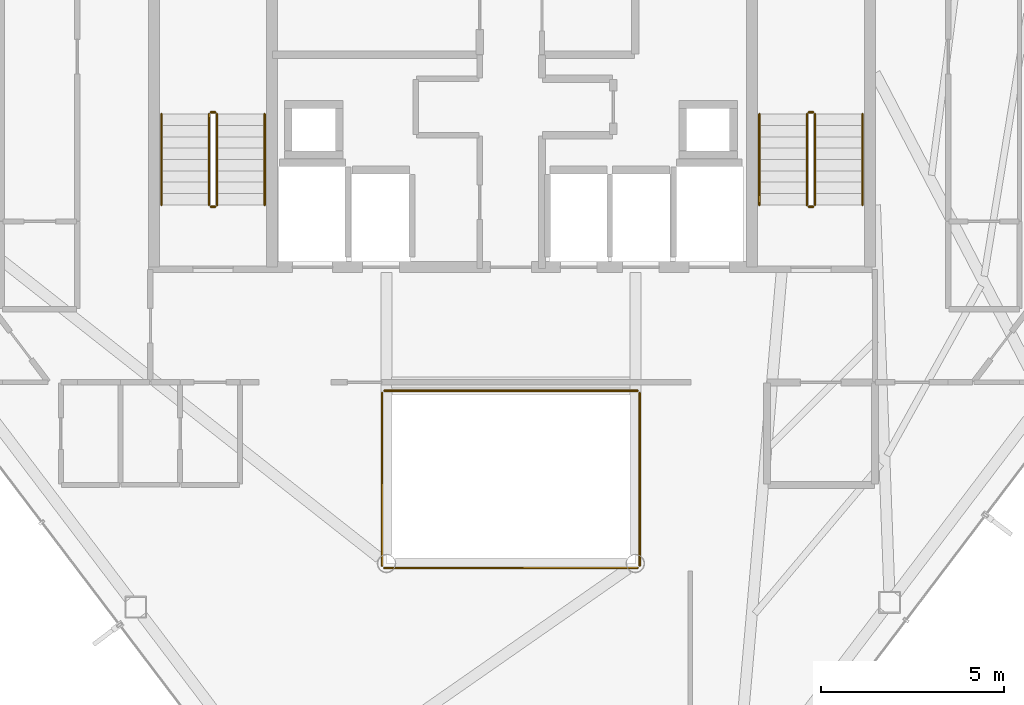
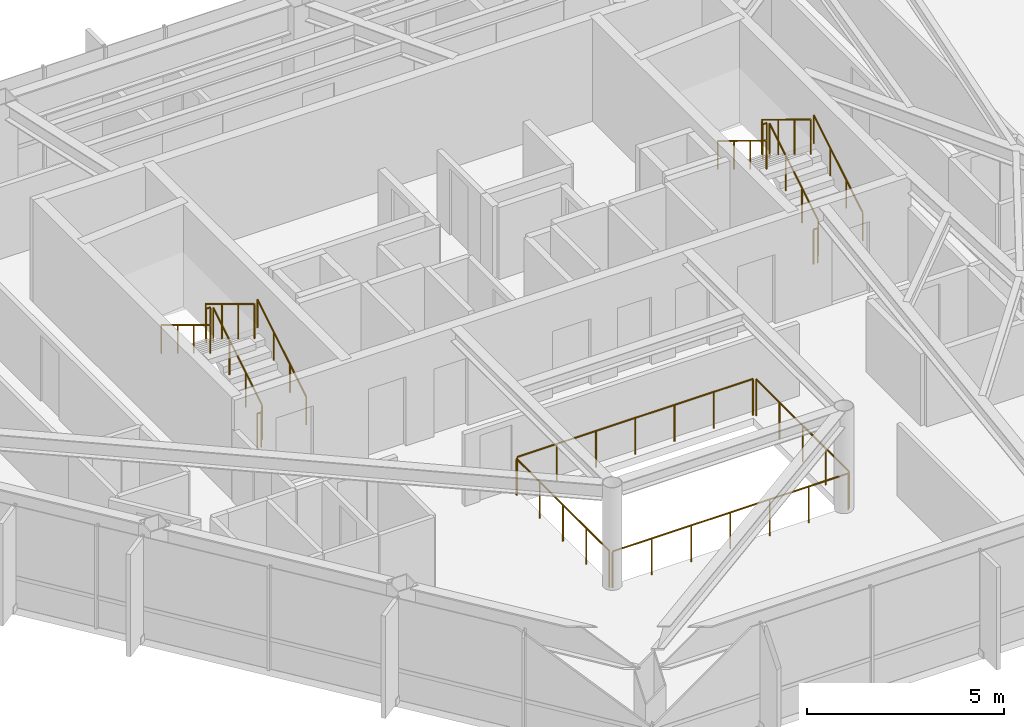
# One storey, part 25 of 25: 16 railings.
"""IFC4 building model written with IfcOpenShell, lengths in metres."""

from ifc_helpers import new_model, si_unit, direction, frame, origin, origin_2d, place, context, subcontext, project, spatial, circle, extrude, material, type_object, element, save


model = new_model("IFC4")

# Units and contexts
model_context = context("Model", 3, precision=1e-05, world=origin(), true_north=direction((0.0, 1.0)))
body_context = subcontext(model_context, "Body", "Model", "MODEL_VIEW")
ifc_project = project(units=[si_unit("LENGTHUNIT", "METRE"), si_unit("AREAUNIT", "SQUARE_METRE"), si_unit("VOLUMEUNIT", "CUBIC_METRE"), si_unit("PLANEANGLEUNIT", "RADIAN"), si_unit("MASSUNIT", "GRAM", prefix="KILO")], contexts=[model_context])

# Site, building, storey
site_placement = place(None, origin())
site = spatial("IfcSite", under=ifc_project, at=site_placement, CompositionType="ELEMENT")
building_placement = place(site_placement, origin())
building = spatial("IfcBuilding", under=site, at=building_placement, Name="Zarrinselat Tower", CompositionType="ELEMENT")
storey_placement = place(building_placement, frame((0.0, 0.0, 208.760009765625)))
storey = spatial("IfcBuildingStorey", under=building, at=storey_placement, Name="L51", CompositionType="ELEMENT", Elevation=208.760009765625)

# Railings
ifc_material_1 = material(Name="Double Low-E Laminated Solar Glass", Category="glass")
railing_type_1 = type_object("IfcRailingType", Name="RLG-ATRIUM-BAL", PredefinedType="BALUSTRADE", material=ifc_material_1)
railing_1_placement = place(storey_placement, frame((34.93994140625, 25.080078125, 0.0)))
element("IfcRailing", 1, at=railing_1_placement, inside=storey, type_object=railing_type_1, Name="L51 Atrium Void Glass Balustrade S", PredefinedType="BALUSTRADE", context=body_context, shape_type="SweptSolid", body=[
    extrude(circle(Radius=0.02392578125, at=origin_2d()), frame((0.0, 0.0, 1.1259765625), z_axis=(1.0, 0.0, 0.0), x_axis=(0.0, 1.0, 0.0)), (0.0, 0.0, 1.0), 6.920166015625),
    extrude(circle(Radius=0.02099609375, at=origin_2d()), origin(), (0.0, 0.0, 1.0), 1.099853515625),
    extrude(circle(Radius=0.02099609375, at=origin_2d()), frame((1.1533203125, 0.0, 0.0)), (0.0, 0.0, 1.0), 1.099853515625),
    extrude(circle(Radius=0.02099609375, at=origin_2d()), frame((2.306640625, 0.0, 0.0)), (0.0, 0.0, 1.0), 1.099853515625),
    extrude(circle(Radius=0.02099609375, at=origin_2d()), frame((3.4599609375, 0.0, 0.0)), (0.0, 0.0, 1.0), 1.099853515625),
    extrude(circle(Radius=0.02099609375, at=origin_2d()), frame((4.613525390625, 0.0, 0.0)), (0.0, 0.0, 1.0), 1.099853515625),
    extrude(circle(Radius=0.02099609375, at=origin_2d()), frame((5.766845703125, 0.0, 0.0)), (0.0, 0.0, 1.0), 1.099853515625),
    extrude(circle(Radius=0.02099609375, at=origin_2d()), frame((6.920166015625, 0.0, 0.0)), (0.0, 0.0, 1.0), 1.099853515625),
])
railing_2_placement = place(storey_placement, frame((41.919921875, 25.139892578125, 0.0)))
element("IfcRailing", 2, at=railing_2_placement, inside=storey, type_object=railing_type_1, Name="L51 Atrium Void Glass Balustrade E", PredefinedType="BALUSTRADE", context=body_context, shape_type="SweptSolid", body=[
    extrude(circle(Radius=0.02392578125, at=origin_2d()), frame((0.0, 0.0, 1.1259765625), z_axis=(0.0, 1.0, 0.0), x_axis=(-1.0, 0.0, 0.0)), (0.0, 0.0, 1.0), 4.72021484375),
    extrude(circle(Radius=0.02099609375, at=origin_2d()), origin(), (0.0, 0.0, 1.0), 1.099853515625),
    extrude(circle(Radius=0.02099609375, at=origin_2d()), frame((0.0, 1.18017578125, 0.0)), (0.0, 0.0, 1.0), 1.099853515625),
    extrude(circle(Radius=0.02099609375, at=origin_2d()), frame((0.0, 2.360107421875, 0.0)), (0.0, 0.0, 1.0), 1.099853515625),
    extrude(circle(Radius=0.02099609375, at=origin_2d()), frame((0.0, 3.5400390625, 0.0)), (0.0, 0.0, 1.0), 1.099853515625),
    extrude(circle(Radius=0.02099609375, at=origin_2d()), frame((0.0, 4.72021484375, 0.0)), (0.0, 0.0, 1.0), 1.099853515625),
])
railing_3_placement = place(storey_placement, frame((41.860107421875, 29.919921875, 0.0)))
element("IfcRailing", 3, at=railing_3_placement, inside=storey, type_object=railing_type_1, Name="L51 Atrium Void Glass Balustrade N", PredefinedType="BALUSTRADE", context=body_context, shape_type="SweptSolid", body=[
    extrude(circle(Radius=0.02392578125, at=origin_2d()), frame((0.0, 0.0, 1.1259765625), z_axis=(-1.0, 0.0, 0.0), x_axis=(0.0, -1.0, 0.0)), (0.0, 0.0, 1.0), 6.920166015625),
    extrude(circle(Radius=0.02099609375, at=origin_2d()), origin(), (0.0, 0.0, 1.0), 1.099853515625),
    extrude(circle(Radius=0.02099609375, at=origin_2d()), frame((-1.1533203125, 0.0, 0.0)), (0.0, 0.0, 1.0), 1.099853515625),
    extrude(circle(Radius=0.02099609375, at=origin_2d()), frame((-2.306640625, 0.0, 0.0)), (0.0, 0.0, 1.0), 1.099853515625),
    extrude(circle(Radius=0.02099609375, at=origin_2d()), frame((-3.4599609375, 0.0, 0.0)), (0.0, 0.0, 1.0), 1.099853515625),
    extrude(circle(Radius=0.02099609375, at=origin_2d()), frame((-4.613525390625, 0.0, 0.0)), (0.0, 0.0, 1.0), 1.099853515625),
    extrude(circle(Radius=0.02099609375, at=origin_2d()), frame((-5.766845703125, 0.0, 0.0)), (0.0, 0.0, 1.0), 1.099853515625),
    extrude(circle(Radius=0.02099609375, at=origin_2d()), frame((-6.920166015625, 0.0, 0.0)), (0.0, 0.0, 1.0), 1.099853515625),
])
railing_4_placement = place(storey_placement, frame((34.8798828125, 29.860107421875, 0.0)))
element("IfcRailing", 4, at=railing_4_placement, inside=storey, type_object=railing_type_1, Name="L51 Atrium Void Glass Balustrade W", PredefinedType="BALUSTRADE", context=body_context, shape_type="SweptSolid", body=[
    extrude(circle(Radius=0.02392578125, at=origin_2d()), frame((0.0, 0.0, 1.1259765625), z_axis=(0.0, -1.0, 0.0), x_axis=(1.0, 0.0, 0.0)), (0.0, 0.0, 1.0), 4.72021484375),
    extrude(circle(Radius=0.02099609375, at=origin_2d()), origin(), (0.0, 0.0, 1.0), 1.099853515625),
    extrude(circle(Radius=0.02099609375, at=origin_2d()), frame((0.0, -1.18017578125, 0.0)), (0.0, 0.0, 1.0), 1.099853515625),
    extrude(circle(Radius=0.02099609375, at=origin_2d()), frame((0.0, -2.360107421875, 0.0)), (0.0, 0.0, 1.0), 1.099853515625),
    extrude(circle(Radius=0.02099609375, at=origin_2d()), frame((0.0, -3.5400390625, 0.0)), (0.0, 0.0, 1.0), 1.099853515625),
    extrude(circle(Radius=0.02099609375, at=origin_2d()), frame((0.0, -4.72021484375, 0.0)), (0.0, 0.0, 1.0), 1.099853515625),
])
ifc_material_2 = material(Name="Steel S355J2", Category="steel")
railing_type_2 = type_object("IfcRailingType", Name="RLG-STAIR-GUARD", PredefinedType="GUARDRAIL", material=ifc_material_2)
railing_5_placement = place(storey_placement, frame((30.3701171875, 35.0, 0.18896484375)))
element("IfcRailing", 5, at=railing_5_placement, inside=storey, type_object=railing_type_2, Name="L51 ST-1 stair guard 1", PredefinedType="GUARDRAIL", context=body_context, shape_type="SweptSolid", body=[
    extrude(circle(Radius=0.02392578125, at=origin_2d()), frame((0.0, 0.0, 1.076171875), z_axis=(0.0, 0.8539793189, 0.520306950647), x_axis=(-1.0, 0.0, 0.0)), (0.0, 0.0, 1.0), 2.904052734375),
    extrude(circle(Radius=0.02099609375, at=origin_2d()), origin(), (0.0, 0.0, 1.0), 1.050048828125),
    extrude(circle(Radius=0.02099609375, at=origin_2d()), frame((0.0, 0.82666015625, 0.503662109375)), (0.0, 0.0, 1.0), 1.050048828125),
    extrude(circle(Radius=0.02099609375, at=origin_2d()), frame((0.0, 1.6533203125, 1.00732421875)), (0.0, 0.0, 1.0), 1.050048828125),
    extrude(circle(Radius=0.02099609375, at=origin_2d()), frame((0.0, 2.47998046875, 1.510986328125)), (0.0, 0.0, 1.0), 1.050048828125),
])
railing_6_placement = place(storey_placement, frame((30.320068359375, 37.530029296875, 1.699951171875)))
element("IfcRailing", 6, at=railing_6_placement, inside=storey, type_object=railing_type_2, Name="L51 ST-1 stair guard 2", PredefinedType="GUARDRAIL", context=body_context, shape_type="SweptSolid", body=[
    extrude(circle(Radius=0.02392578125, at=origin_2d()), frame((0.0, 0.0, 1.076171875), z_axis=(-1.0, 0.0, 0.0), x_axis=(0.0, -1.0, 0.0)), (0.0, 0.0, 1.0), 0.1201171875),
    extrude(circle(Radius=0.02099609375, at=origin_2d()), origin(), (0.0, 0.0, 1.0), 1.050048828125),
    extrude(circle(Radius=0.02099609375, at=origin_2d()), frame((-0.1201171875, 0.0, 0.0)), (0.0, 0.0, 1.0), 1.050048828125),
])
railing_7_placement = place(storey_placement, frame((30.14990234375, 37.47998046875, 1.888916015625)))
element("IfcRailing", 7, at=railing_7_placement, inside=storey, type_object=railing_type_2, Name="L51 ST-1 stair guard 3", PredefinedType="GUARDRAIL", context=body_context, shape_type="SweptSolid", body=[
    extrude(circle(Radius=0.02392578125, at=origin_2d()), frame((0.0, 0.0, 1.076171875), z_axis=(0.0, -0.8539793189, 0.520306950647), x_axis=(1.0, 0.0, 0.0)), (0.0, 0.0, 1.0), 2.904052734375),
    extrude(circle(Radius=0.02099609375, at=origin_2d()), origin(), (0.0, 0.0, 1.0), 1.050048828125),
    extrude(circle(Radius=0.02099609375, at=origin_2d()), frame((0.0, -0.82666015625, 0.503662109375)), (0.0, 0.0, 1.0), 1.050048828125),
    extrude(circle(Radius=0.02099609375, at=origin_2d()), frame((0.0, -1.6533203125, 1.00732421875)), (0.0, 0.0, 1.0), 1.050048828125),
    extrude(circle(Radius=0.02099609375, at=origin_2d()), frame((0.0, -2.47998046875, 1.510986328125)), (0.0, 0.0, 1.0), 1.050048828125),
])
railing_8_placement = place(storey_placement, frame((30.320068359375, 34.949951171875, 0.0)))
element("IfcRailing", 8, at=railing_8_placement, inside=storey, type_object=railing_type_2, Name="L51 ST-1 stair guard 4", PredefinedType="GUARDRAIL", context=body_context, shape_type="SweptSolid", body=[
    extrude(circle(Radius=0.02392578125, at=origin_2d()), frame((0.0, 0.0, 1.076171875), z_axis=(-1.0, 0.0, 0.0), x_axis=(0.0, -1.0, 0.0)), (0.0, 0.0, 1.0), 0.1201171875),
    extrude(circle(Radius=0.02099609375, at=origin_2d()), origin(), (0.0, 0.0, 1.0), 1.050048828125),
    extrude(circle(Radius=0.02099609375, at=origin_2d()), frame((-0.1201171875, 0.0, 0.0)), (0.0, 0.0, 1.0), 1.050048828125),
])
railing_9_placement = place(storey_placement, frame((46.7099609375, 35.0, 0.18896484375)))
element("IfcRailing", 9, at=railing_9_placement, inside=storey, type_object=railing_type_2, Name="L51 ST-2 stair guard 1", PredefinedType="GUARDRAIL", context=body_context, shape_type="SweptSolid", body=[
    extrude(circle(Radius=0.02392578125, at=origin_2d()), frame((0.0, 0.0, 1.076171875), z_axis=(0.0, 0.8539793189, 0.520306950647), x_axis=(-1.0, 0.0, 0.0)), (0.0, 0.0, 1.0), 2.904052734375),
    extrude(circle(Radius=0.02099609375, at=origin_2d()), origin(), (0.0, 0.0, 1.0), 1.050048828125),
    extrude(circle(Radius=0.02099609375, at=origin_2d()), frame((0.0, 0.82666015625, 0.503662109375)), (0.0, 0.0, 1.0), 1.050048828125),
    extrude(circle(Radius=0.02099609375, at=origin_2d()), frame((0.0, 1.6533203125, 1.00732421875)), (0.0, 0.0, 1.0), 1.050048828125),
    extrude(circle(Radius=0.02099609375, at=origin_2d()), frame((0.0, 2.47998046875, 1.510986328125)), (0.0, 0.0, 1.0), 1.050048828125),
])
railing_10_placement = place(storey_placement, frame((46.659912109375, 37.530029296875, 1.699951171875)))
element("IfcRailing", 10, at=railing_10_placement, inside=storey, type_object=railing_type_2, Name="L51 ST-2 stair guard 2", PredefinedType="GUARDRAIL", context=body_context, shape_type="SweptSolid", body=[
    extrude(circle(Radius=0.02392578125, at=origin_2d()), frame((0.0, 0.0, 1.076171875), z_axis=(-1.0, 0.0, 0.0), x_axis=(0.0, -1.0, 0.0)), (0.0, 0.0, 1.0), 0.119873046875),
    extrude(circle(Radius=0.02099609375, at=origin_2d()), origin(), (0.0, 0.0, 1.0), 1.050048828125),
    extrude(circle(Radius=0.02099609375, at=origin_2d()), frame((-0.119873046875, 0.0, 0.0)), (0.0, 0.0, 1.0), 1.050048828125),
])
railing_11_placement = place(storey_placement, frame((46.489990234375, 37.47998046875, 1.888916015625)))
element("IfcRailing", 11, at=railing_11_placement, inside=storey, type_object=railing_type_2, Name="L51 ST-2 stair guard 3", PredefinedType="GUARDRAIL", context=body_context, shape_type="SweptSolid", body=[
    extrude(circle(Radius=0.02392578125, at=origin_2d()), frame((0.0, 0.0, 1.076171875), z_axis=(0.0, -0.8539793189, 0.520306950647), x_axis=(1.0, 0.0, 0.0)), (0.0, 0.0, 1.0), 2.904052734375),
    extrude(circle(Radius=0.02099609375, at=origin_2d()), origin(), (0.0, 0.0, 1.0), 1.050048828125),
    extrude(circle(Radius=0.02099609375, at=origin_2d()), frame((0.0, -0.82666015625, 0.503662109375)), (0.0, 0.0, 1.0), 1.050048828125),
    extrude(circle(Radius=0.02099609375, at=origin_2d()), frame((0.0, -1.6533203125, 1.00732421875)), (0.0, 0.0, 1.0), 1.050048828125),
    extrude(circle(Radius=0.02099609375, at=origin_2d()), frame((0.0, -2.47998046875, 1.510986328125)), (0.0, 0.0, 1.0), 1.050048828125),
])
railing_12_placement = place(storey_placement, frame((46.659912109375, 34.949951171875, 0.0)))
element("IfcRailing", 12, at=railing_12_placement, inside=storey, type_object=railing_type_2, Name="L51 ST-2 stair guard 4", PredefinedType="GUARDRAIL", context=body_context, shape_type="SweptSolid", body=[
    extrude(circle(Radius=0.02392578125, at=origin_2d()), frame((0.0, 0.0, 1.076171875), z_axis=(-1.0, 0.0, 0.0), x_axis=(0.0, -1.0, 0.0)), (0.0, 0.0, 1.0), 0.119873046875),
    extrude(circle(Radius=0.02099609375, at=origin_2d()), origin(), (0.0, 0.0, 1.0), 1.050048828125),
    extrude(circle(Radius=0.02099609375, at=origin_2d()), frame((-0.119873046875, 0.0, 0.0)), (0.0, 0.0, 1.0), 1.050048828125),
])
ifc_material_3 = material(Name="Steel S355J2", Category="steel")
railing_type_3 = type_object("IfcRailingType", Name="RLG-STAIR-HAND", PredefinedType="HANDRAIL", material=ifc_material_3)
railing_13_placement = place(storey_placement, frame((31.669921875, 35.0, 0.18896484375)))
element("IfcRailing", 13, at=railing_13_placement, inside=storey, type_object=railing_type_3, Name="L51 ST-1 stair handrail 1", PredefinedType="HANDRAIL", context=body_context, shape_type="SweptSolid", body=[
    extrude(circle(Radius=0.02392578125, at=origin_2d()), frame((0.0, 0.0, 0.8759765625), z_axis=(0.0, 0.8539793189, 0.520306950647), x_axis=(-1.0, 0.0, 0.0)), (0.0, 0.0, 1.0), 2.904052734375),
    extrude(circle(Radius=0.02099609375, at=origin_2d()), origin(), (0.0, 0.0, 1.0), 0.849853515625),
    extrude(circle(Radius=0.02099609375, at=origin_2d()), frame((0.0, 0.82666015625, 0.503662109375)), (0.0, 0.0, 1.0), 0.849853515625),
    extrude(circle(Radius=0.02099609375, at=origin_2d()), frame((0.0, 1.6533203125, 1.00732421875)), (0.0, 0.0, 1.0), 0.849853515625),
    extrude(circle(Radius=0.02099609375, at=origin_2d()), frame((0.0, 2.47998046875, 1.510986328125)), (0.0, 0.0, 1.0), 0.849853515625),
])
railing_14_placement = place(storey_placement, frame((28.85009765625, 37.47998046875, 1.888916015625)))
element("IfcRailing", 14, at=railing_14_placement, inside=storey, type_object=railing_type_3, Name="L51 ST-1 stair handrail 2", PredefinedType="HANDRAIL", context=body_context, shape_type="SweptSolid", body=[
    extrude(circle(Radius=0.02392578125, at=origin_2d()), frame((0.0, 0.0, 0.8759765625), z_axis=(0.0, -0.8539793189, 0.520306950647), x_axis=(1.0, 0.0, 0.0)), (0.0, 0.0, 1.0), 2.904052734375),
    extrude(circle(Radius=0.02099609375, at=origin_2d()), origin(), (0.0, 0.0, 1.0), 0.849853515625),
    extrude(circle(Radius=0.02099609375, at=origin_2d()), frame((0.0, -0.82666015625, 0.503662109375)), (0.0, 0.0, 1.0), 0.849853515625),
    extrude(circle(Radius=0.02099609375, at=origin_2d()), frame((0.0, -1.6533203125, 1.00732421875)), (0.0, 0.0, 1.0), 0.849853515625),
    extrude(circle(Radius=0.02099609375, at=origin_2d()), frame((0.0, -2.47998046875, 1.510986328125)), (0.0, 0.0, 1.0), 0.849853515625),
])
railing_15_placement = place(storey_placement, frame((48.010009765625, 35.0, 0.18896484375)))
element("IfcRailing", 15, at=railing_15_placement, inside=storey, type_object=railing_type_3, Name="L51 ST-2 stair handrail 1", PredefinedType="HANDRAIL", context=body_context, shape_type="SweptSolid", body=[
    extrude(circle(Radius=0.02392578125, at=origin_2d()), frame((0.0, 0.0, 0.8759765625), z_axis=(0.0, 0.8539793189, 0.520306950647), x_axis=(-1.0, 0.0, 0.0)), (0.0, 0.0, 1.0), 2.904052734375),
    extrude(circle(Radius=0.02099609375, at=origin_2d()), origin(), (0.0, 0.0, 1.0), 0.849853515625),
    extrude(circle(Radius=0.02099609375, at=origin_2d()), frame((0.0, 0.82666015625, 0.503662109375)), (0.0, 0.0, 1.0), 0.849853515625),
    extrude(circle(Radius=0.02099609375, at=origin_2d()), frame((0.0, 1.6533203125, 1.00732421875)), (0.0, 0.0, 1.0), 0.849853515625),
    extrude(circle(Radius=0.02099609375, at=origin_2d()), frame((0.0, 2.47998046875, 1.510986328125)), (0.0, 0.0, 1.0), 0.849853515625),
])
railing_16_placement = place(storey_placement, frame((45.18994140625, 37.47998046875, 1.888916015625)))
element("IfcRailing", 16, at=railing_16_placement, inside=storey, type_object=railing_type_3, Name="L51 ST-2 stair handrail 2", PredefinedType="HANDRAIL", context=body_context, shape_type="SweptSolid", body=[
    extrude(circle(Radius=0.02392578125, at=origin_2d()), frame((0.0, 0.0, 0.8759765625), z_axis=(0.0, -0.8539793189, 0.520306950647), x_axis=(1.0, 0.0, 0.0)), (0.0, 0.0, 1.0), 2.904052734375),
    extrude(circle(Radius=0.02099609375, at=origin_2d()), origin(), (0.0, 0.0, 1.0), 0.849853515625),
    extrude(circle(Radius=0.02099609375, at=origin_2d()), frame((0.0, -0.82666015625, 0.503662109375)), (0.0, 0.0, 1.0), 0.849853515625),
    extrude(circle(Radius=0.02099609375, at=origin_2d()), frame((0.0, -1.6533203125, 1.00732421875)), (0.0, 0.0, 1.0), 0.849853515625),
    extrude(circle(Radius=0.02099609375, at=origin_2d()), frame((0.0, -2.47998046875, 1.510986328125)), (0.0, 0.0, 1.0), 0.849853515625),
])

save(model, "model.ifc")
